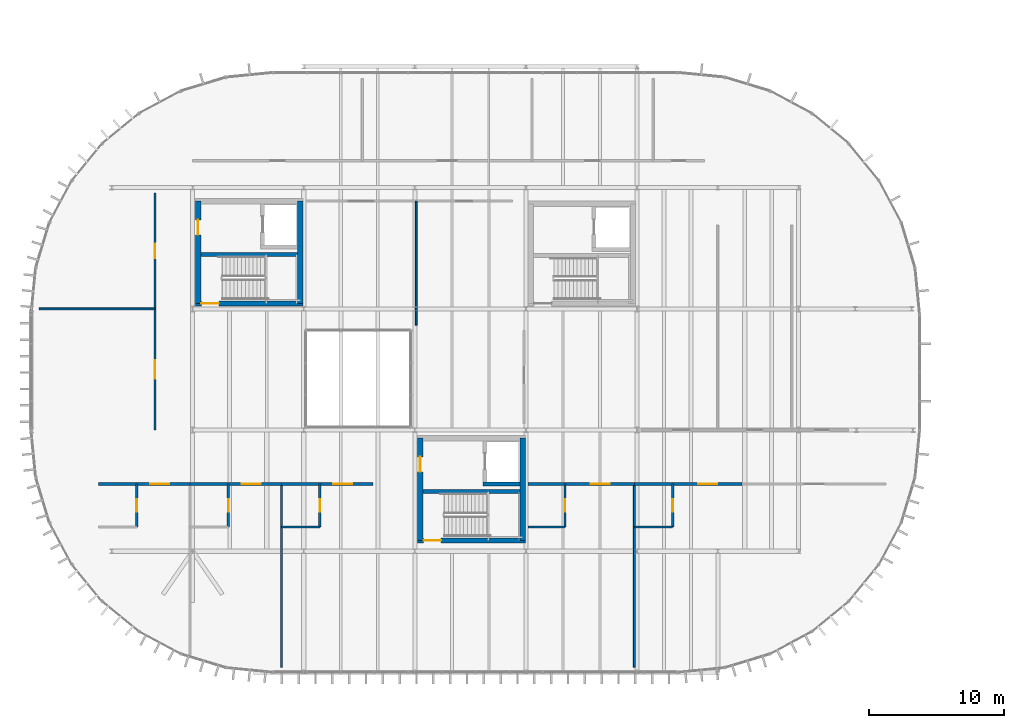
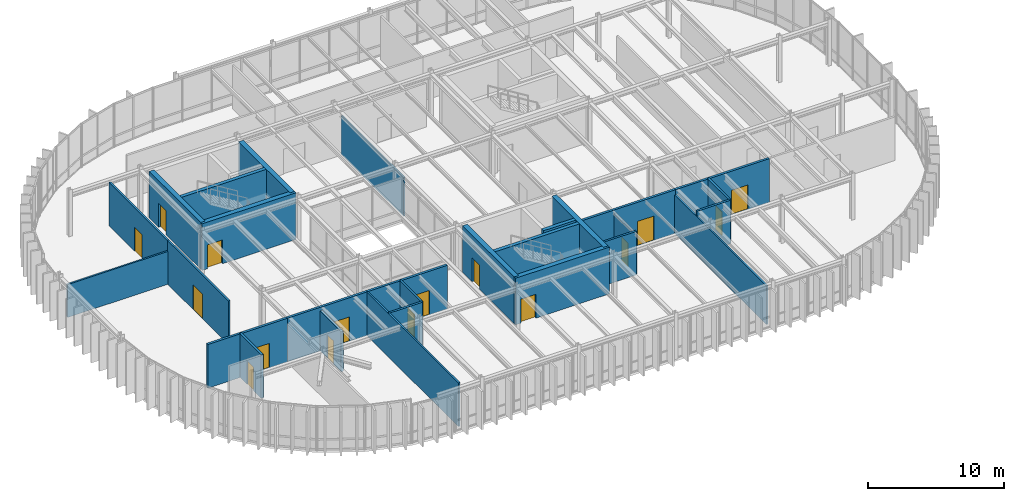
# One storey, part 20 of 27: 28 walls, 16 doors, 16 openings.
"""IFC4 building model written with IfcOpenShell, lengths in metres."""

from ifc_helpers import new_model, si_unit, direction, frame, frame_2d, origin, place, context, subcontext, project, spatial, rectangle, extrude, material, layer, layer_set, type_object, element, fill, save


model = new_model("IFC4")

# Units and contexts
model_context = context("Model", 3, precision=1e-05, world=origin(), true_north=direction((0.0, 1.0)))
body_context = subcontext(model_context, "Body", "Model", "MODEL_VIEW")
ifc_project = project(units=[si_unit("LENGTHUNIT", "METRE"), si_unit("AREAUNIT", "SQUARE_METRE"), si_unit("VOLUMEUNIT", "CUBIC_METRE"), si_unit("PLANEANGLEUNIT", "RADIAN"), si_unit("MASSUNIT", "GRAM", prefix="KILO")], contexts=[model_context])

# Site, building, storey
site_placement = place(None, origin())
site = spatial("IfcSite", under=ifc_project, at=site_placement, CompositionType="ELEMENT")
building_placement = place(site_placement, origin())
building = spatial("IfcBuilding", under=site, at=building_placement, Name="Montealbar Specialist Clinic", CompositionType="ELEMENT")
storey_placement = place(building_placement, frame((0.0, 0.0, 18.0)))
storey = spatial("IfcBuildingStorey", under=building, at=storey_placement, Name="L04", CompositionType="ELEMENT", Elevation=18.0)

# Walls
ifc_material_1 = material(Name="Concrete C35/45", Category="concrete")
ifc_layer_1 = layer(ifc_material_1, 0.300048828125, Name="Concrete C35/45", Category="concrete")
ifc_layer_set_1 = layer_set([ifc_layer_1], Name="Concrete C35/45")
wall_type_1 = type_object("IfcWallType", Name="WL-CORE-300", PredefinedType="SHEAR", material=ifc_layer_set_1)
for number, where, z_axis, x_axis, name in (
    (1, (66.60009765625, 31.050048828125, 0.0), (0.0, 0.0, 1.0), (1.0, 0.0, 0.0), "Core C3 Stairwell Wall L04"),
    (2, (83.10009765625, 13.449951171875, 0.0), (0.0, 0.0, 1.0), (1.0, 0.0, 0.0), "Core C4 Stairwell Wall L04"),
):
    element("IfcWall", number, at=place(storey_placement, frame(where, z_axis=z_axis, x_axis=x_axis)), inside=storey, type_object=wall_type_1, Name=name, PredefinedType="SHEAR", context=body_context, shape_type="SweptSolid", body=[
        extrude(rectangle(XDim=7.199951171875, YDim=0.300048828125, at=frame_2d((3.60009765625, 0.0))), origin(), (0.0, 0.0, 1.0), 4.199951171875),
    ])
wall_1_placement = place(storey_placement, frame((87.550048828125, 14.0, 0.0), z_axis=(0.0, 0.0, 1.0), x_axis=(1.0, 0.0, 0.0)))
element("IfcWall", 3, at=wall_1_placement, inside=storey, type_object=wall_type_1, Name="Lift FL-02 Shaft Wall L04 LS", PredefinedType="SHEAR", context=body_context, shape_type="SweptSolid", body=[
    extrude(rectangle(XDim=2.75, YDim=0.300048828125, at=frame_2d((1.375, 0.0))), origin(), (0.0, 0.0, 1.0), 4.199951171875),
])

# Wall, opening, door
ifc_layer_2 = layer(ifc_material_1, 0.39990234375, Name="Concrete C35/45", Category="concrete")
ifc_layer_set_2 = layer_set([ifc_layer_2], Name="Concrete C35/45")
wall_type_2 = type_object("IfcWallType", Name="WL-CORE-400", PredefinedType="SHEAR", material=ifc_layer_set_2)
wall_2_placement = place(storey_placement, frame((66.199951171875, 27.39990234375, 0.0), z_axis=(0.0, 0.0, 1.0), x_axis=(1.0, 0.0, 0.0)))
wall_2 = element("IfcWall", 4, at=wall_2_placement, inside=storey, type_object=wall_type_2, Name="Core C3 Shear Wall L04 S", PredefinedType="SHEAR", context=body_context, shape_type="SweptSolid", body=[
    extrude(rectangle(XDim=8.0, YDim=0.39990234375, at=frame_2d((4.0, 0.0))), origin(), (0.0, 0.0, 1.0), 4.199951171875),
])
opening_1_placement = place(wall_2_placement, frame((0.449951171875, 0.0, 0.0)))
opening_1 = element("IfcOpeningElement", 5, at=opening_1_placement, cuts=wall_2, Name="Opening SD-13", PredefinedType="OPENING", context=body_context, shape_type="SweptSolid", body=[
    extrude(rectangle(XDim=1.300048828125, YDim=2.14990234375, at=frame_2d((0.64990234375, 1.074951171875))), frame((0.0, 0.2099609375, 0.0), z_axis=(0.0, -1.0, 0.0), x_axis=(1.0, 0.0, 0.0)), (0.0, 0.0, 1.0), 0.419921875),
])
ifc_material_2 = material(Name="Steel S355", Category="steel")
door_type_1 = type_object("IfcDoorType", Name="DR-STAIR-W1300", OperationType="NOTDEFINED", PredefinedType="DOOR", material=ifc_material_2)
door_1_placement = place(opening_1_placement, frame((1.300048828125, 0.0, 0.0), z_axis=(0.0, 0.0, 1.0), x_axis=(-1.0, 0.0, 0.0)))
door_1 = element("IfcDoor", 6, at=door_1_placement, inside=storey, type_object=door_type_1, Name="Protected Core C3 Stair Fire Door L04", OperationType="SINGLE_SWING_LEFT", OverallHeight=2.14990234375, OverallWidth=1.300048828125, PredefinedType="DOOR", context=body_context, shape_type="SweptSolid", body=[
    extrude(rectangle(XDim=1.300048828125, YDim=2.14990234375, at=frame_2d((0.64990234375, 1.074951171875))), frame((0.0, 0.02490234375, 0.0), z_axis=(0.0, -1.0, 0.0), x_axis=(1.0, 0.0, 0.0)), (0.0, 0.0, 1.0), 0.050048828125),
])
fill(opening_1, door_1)

wall_3_placement = place(storey_placement, frame((66.39990234375, 27.39990234375, 0.0), z_axis=(0.0, 0.0, 1.0), x_axis=(0.0, 1.0, 0.0)))
wall_3 = element("IfcWall", 7, at=wall_3_placement, inside=storey, type_object=wall_type_2, Name="Core C3 Shear Wall L04 W", PredefinedType="SHEAR", context=body_context, shape_type="SweptSolid", body=[
    extrude(rectangle(XDim=7.60009765625, YDim=0.39990234375, at=frame_2d((3.800048828125, 0.0))), origin(), (0.0, 0.0, 1.0), 4.199951171875),
])
opening_2_placement = place(wall_3_placement, frame((5.090087890625, 0.0, 0.0)))
opening_2 = element("IfcOpeningElement", 8, at=opening_2_placement, cuts=wall_3, Name="Opening FD-110", PredefinedType="OPENING", context=body_context, shape_type="SweptSolid", body=[
    extrude(rectangle(XDim=1.1201171875, YDim=2.14990234375, at=frame_2d((0.56005859375, 1.074951171875))), frame((0.0, 0.2099609375, 0.0), z_axis=(0.0, -1.0, 0.0), x_axis=(1.0, 0.0, 0.0)), (0.0, 0.0, 1.0), 0.419921875),
])
door_type_2 = type_object("IfcDoorType", Name="DR-FIRE-W1100", OperationType="NOTDEFINED", PredefinedType="DOOR", material=ifc_material_2)
door_2_placement = place(opening_2_placement, origin())
door_2 = element("IfcDoor", 9, at=door_2_placement, inside=storey, type_object=door_type_2, Name="Firefighting Lobby C3 Entrance Door L04", OperationType="SINGLE_SWING_RIGHT", OverallHeight=2.14990234375, OverallWidth=1.1201171875, PredefinedType="DOOR", context=body_context, shape_type="SweptSolid", body=[
    extrude(rectangle(XDim=1.1201171875, YDim=2.14990234375, at=frame_2d((0.56005859375, 1.074951171875))), frame((0.0, 0.02490234375, 0.0), z_axis=(0.0, -1.0, 0.0), x_axis=(1.0, 0.0, 0.0)), (0.0, 0.0, 1.0), 0.050048828125),
])
fill(opening_2, door_2)

# Wall
wall_4_placement = place(storey_placement, frame((74.0, 27.39990234375, 0.0), z_axis=(0.0, 0.0, 1.0), x_axis=(0.0, 1.0, 0.0)))
element("IfcWall", 10, at=wall_4_placement, inside=storey, type_object=wall_type_2, Name="Core C3 Shear Wall L04 E", PredefinedType="SHEAR", context=body_context, shape_type="SweptSolid", body=[
    extrude(rectangle(XDim=7.60009765625, YDim=0.39990234375, at=frame_2d((3.800048828125, 0.0))), origin(), (0.0, 0.0, 1.0), 4.199951171875),
])

# Wall, opening, door
wall_5_placement = place(storey_placement, frame((82.699951171875, 9.800048828125, 0.0), z_axis=(0.0, 0.0, 1.0), x_axis=(1.0, 0.0, 0.0)))
wall_5 = element("IfcWall", 11, at=wall_5_placement, inside=storey, type_object=wall_type_2, Name="Core C4 Shear Wall L04 S", PredefinedType="SHEAR", context=body_context, shape_type="SweptSolid", body=[
    extrude(rectangle(XDim=8.0, YDim=0.39990234375, at=frame_2d((4.0, 0.0))), origin(), (0.0, 0.0, 1.0), 4.199951171875),
])
opening_3_placement = place(wall_5_placement, frame((0.449951171875, 0.0, 0.0)))
opening_3 = element("IfcOpeningElement", 12, at=opening_3_placement, cuts=wall_5, Name="Opening SD-13", PredefinedType="OPENING", context=body_context, shape_type="SweptSolid", body=[
    extrude(rectangle(XDim=1.300048828125, YDim=2.14990234375, at=frame_2d((0.64990234375, 1.074951171875))), frame((0.0, 0.2099609375, 0.0), z_axis=(0.0, -1.0, 0.0), x_axis=(1.0, 0.0, 0.0)), (0.0, 0.0, 1.0), 0.419921875),
])
door_3_placement = place(opening_3_placement, frame((1.300048828125, 0.0, 0.0), z_axis=(0.0, 0.0, 1.0), x_axis=(-1.0, 0.0, 0.0)))
door_3 = element("IfcDoor", 13, at=door_3_placement, inside=storey, type_object=door_type_1, Name="Protected Core C4 Stair Fire Door L04", OperationType="SINGLE_SWING_LEFT", OverallHeight=2.14990234375, OverallWidth=1.300048828125, PredefinedType="DOOR", context=body_context, shape_type="SweptSolid", body=[
    extrude(rectangle(XDim=1.300048828125, YDim=2.14990234375, at=frame_2d((0.64990234375, 1.074951171875))), frame((0.0, 0.02490234375, 0.0), z_axis=(0.0, -1.0, 0.0), x_axis=(1.0, 0.0, 0.0)), (0.0, 0.0, 1.0), 0.050048828125),
])
fill(opening_3, door_3)

wall_6_placement = place(storey_placement, frame((82.89990234375, 9.800048828125, 0.0), z_axis=(0.0, 0.0, 1.0), x_axis=(0.0, 1.0, 0.0)))
wall_6 = element("IfcWall", 14, at=wall_6_placement, inside=storey, type_object=wall_type_2, Name="Core C4 Shear Wall L04 W", PredefinedType="SHEAR", context=body_context, shape_type="SweptSolid", body=[
    extrude(rectangle(XDim=7.599853515625, YDim=0.39990234375, at=frame_2d((3.7998046875, 0.0))), origin(), (0.0, 0.0, 1.0), 4.199951171875),
])
opening_4_placement = place(wall_6_placement, frame((5.090087890625, 0.0, 0.0)))
opening_4 = element("IfcOpeningElement", 15, at=opening_4_placement, cuts=wall_6, Name="Opening FD-110", PredefinedType="OPENING", context=body_context, shape_type="SweptSolid", body=[
    extrude(rectangle(XDim=1.1201171875, YDim=2.14990234375, at=frame_2d((0.56005859375, 1.074951171875))), frame((0.0, 0.2099609375, 0.0), z_axis=(0.0, -1.0, 0.0), x_axis=(1.0, 0.0, 0.0)), (0.0, 0.0, 1.0), 0.419921875),
])
door_4_placement = place(opening_4_placement, origin())
door_4 = element("IfcDoor", 16, at=door_4_placement, inside=storey, type_object=door_type_2, Name="Firefighting Lobby C4 Entrance Door L04", OperationType="SINGLE_SWING_RIGHT", OverallHeight=2.14990234375, OverallWidth=1.1201171875, PredefinedType="DOOR", context=body_context, shape_type="SweptSolid", body=[
    extrude(rectangle(XDim=1.1201171875, YDim=2.14990234375, at=frame_2d((0.56005859375, 1.074951171875))), frame((0.0, 0.02490234375, 0.0), z_axis=(0.0, -1.0, 0.0), x_axis=(1.0, 0.0, 0.0)), (0.0, 0.0, 1.0), 0.050048828125),
])
fill(opening_4, door_4)

# Walls
wall_7_placement = place(storey_placement, frame((90.5, 9.800048828125, 0.0), z_axis=(0.0, 0.0, 1.0), x_axis=(0.0, 1.0, 0.0)))
element("IfcWall", 17, at=wall_7_placement, inside=storey, type_object=wall_type_2, Name="Core C4 Shear Wall L04 E", PredefinedType="SHEAR", context=body_context, shape_type="SweptSolid", body=[
    extrude(rectangle(XDim=7.599853515625, YDim=0.39990234375, at=frame_2d((3.7998046875, 0.0))), origin(), (0.0, 0.0, 1.0), 4.199951171875),
])
ifc_material_3 = material(Name="Gypsum acoustic partition", Category="gypsum")
ifc_layer_3 = layer(ifc_material_3, 0.139892578125, Name="Gypsum acoustic partition", Category="gypsum")
ifc_layer_set_3 = layer_set([ifc_layer_3], Name="Gypsum acoustic partition")
wall_type_3 = type_object("IfcWallType", Name="WL-PART-ACOUSTIC-140", PredefinedType="PARTITIONING", material=ifc_layer_set_3)
wall_8_placement = place(storey_placement, frame((72.60009765625, 0.39990234375, 0.0), z_axis=(0.0, 0.0, 1.0), x_axis=(0.0, 1.0, 0.0)))
element("IfcWall", 18, at=wall_8_placement, inside=storey, type_object=wall_type_3, Name="Clinical Partition PART-L04-0199", PredefinedType="PARTITIONING", context=body_context, shape_type="SweptSolid", body=[
    extrude(rectangle(XDim=13.60009765625, YDim=0.139892578125, at=frame_2d((6.800048828125, 0.0))), origin(), (0.0, 0.0, 1.0), 3.919921875),
])
wall_9_placement = place(storey_placement, frame((98.800048828125, 0.39990234375, 0.0), z_axis=(0.0, 0.0, 1.0), x_axis=(0.0, 1.0, 0.0)))
element("IfcWall", 19, at=wall_9_placement, inside=storey, type_object=wall_type_3, Name="Clinical Partition PART-L04-0206", PredefinedType="PARTITIONING", context=body_context, shape_type="SweptSolid", body=[
    extrude(rectangle(XDim=13.60009765625, YDim=0.139892578125, at=frame_2d((6.800048828125, 0.0))), origin(), (0.0, 0.0, 1.0), 3.489990234375),
])
wall_10_placement = place(storey_placement, frame((82.60009765625, 25.800048828125, 0.0), z_axis=(0.0, 0.0, 1.0), x_axis=(0.0, 1.0, 0.0)))
element("IfcWall", 20, at=wall_10_placement, inside=storey, type_object=wall_type_3, Name="Clinical Partition PART-L04-0266", PredefinedType="PARTITIONING", context=body_context, shape_type="SweptSolid", body=[
    extrude(rectangle(XDim=9.199951171875, YDim=0.139892578125, at=frame_2d((4.60009765625, 0.0))), origin(), (0.0, 0.0, 1.0), 3.489990234375),
])
wall_11_placement = place(storey_placement, frame((54.60009765625, 27.0, 0.0), z_axis=(0.0, 0.0, 1.0), x_axis=(1.0, 0.0, 0.0)))
element("IfcWall", 21, at=wall_11_placement, inside=storey, type_object=wall_type_3, Name="Clinical Partition PART-L04-0269", PredefinedType="PARTITIONING", context=body_context, shape_type="SweptSolid", body=[
    extrude(rectangle(XDim=8.599853515625, YDim=0.139892578125, at=frame_2d((4.2998046875, 0.0))), origin(), (0.0, 0.0, 1.0), 2.9599609375),
])

# Wall, opening, door
ifc_layer_4 = layer(ifc_material_3, 0.159912109375, Name="Gypsum acoustic partition", Category="gypsum")
ifc_layer_set_4 = layer_set([ifc_layer_4], Name="Gypsum acoustic partition")
wall_type_4 = type_object("IfcWallType", Name="WL-PART-CLINIC-160", PredefinedType="PARTITIONING", material=ifc_layer_set_4)
wall_12_placement = place(storey_placement, frame((63.199951171875, 18.0, 0.0), z_axis=(0.0, 0.0, 1.0), x_axis=(0.0, 1.0, 0.0)))
wall_12 = element("IfcWall", 22, at=wall_12_placement, inside=storey, type_object=wall_type_4, Name="Clinical Partition PART-L04-0268", PredefinedType="PARTITIONING", context=body_context, shape_type="SweptSolid", body=[
    extrude(rectangle(XDim=9.0, YDim=0.159912109375, at=frame_2d((4.5, 0.0))), origin(), (0.0, 0.0, 1.0), 3.919921875),
])
opening_5_placement = place(wall_12_placement, frame((3.800048828125, 0.0, 0.0)))
opening_5 = element("IfcOpeningElement", 23, at=opening_5_placement, cuts=wall_12, Name="Opening ID-140", PredefinedType="OPENING", context=body_context, shape_type="SweptSolid", body=[
    extrude(rectangle(XDim=1.39990234375, YDim=2.199951171875, at=frame_2d((0.699951171875, 1.10009765625))), frame((0.0, 0.08984375, 0.0), z_axis=(0.0, -1.0, 0.0), x_axis=(1.0, 0.0, 0.0)), (0.0, 0.0, 1.0), 0.179931640625),
])
ifc_material_4 = material(Name="Acoustic timber leaf", Category="wood")
door_type_3 = type_object("IfcDoorType", Name="DR-BED-W1400", OperationType="NOTDEFINED", PredefinedType="DOOR", material=ifc_material_4)
door_5_placement = place(opening_5_placement, frame((1.39990234375, 0.0, 0.0), z_axis=(0.0, 0.0, 1.0), x_axis=(-1.0, 0.0, 0.0)))
door_5 = element("IfcDoor", 24, at=door_5_placement, inside=storey, type_object=door_type_3, Name="Clinical Room Door IDR-L04-0174", OperationType="SINGLE_SWING_LEFT", OverallHeight=2.199951171875, OverallWidth=1.39990234375, PredefinedType="DOOR", context=body_context, shape_type="SweptSolid", body=[
    extrude(rectangle(XDim=1.39990234375, YDim=2.199951171875, at=frame_2d((0.699951171875, 1.10009765625))), frame((0.0, 0.02490234375, 0.0), z_axis=(0.0, -1.0, 0.0), x_axis=(1.0, 0.0, 0.0)), (0.0, 0.0, 1.0), 0.050048828125),
])
fill(opening_5, door_5)

wall_13_placement = place(storey_placement, frame((63.199951171875, 27.0, 0.0), z_axis=(0.0, 0.0, 1.0), x_axis=(0.0, 1.0, 0.0)))
wall_13 = element("IfcWall", 25, at=wall_13_placement, inside=storey, type_object=wall_type_4, Name="Clinical Partition PART-L04-0270", PredefinedType="PARTITIONING", context=body_context, shape_type="SweptSolid", body=[
    extrude(rectangle(XDim=8.60009765625, YDim=0.159912109375, at=frame_2d((4.300048828125, 0.0))), origin(), (0.0, 0.0, 1.0), 3.919921875),
])
opening_6_placement = place(wall_13_placement, frame((3.75, 0.0, 0.0)))
opening_6 = element("IfcOpeningElement", 26, at=opening_6_placement, cuts=wall_13, Name="Opening ID-110", PredefinedType="OPENING", context=body_context, shape_type="SweptSolid", body=[
    extrude(rectangle(XDim=1.10009765625, YDim=2.14990234375, at=frame_2d((0.550048828125, 1.074951171875))), frame((0.0, 0.08984375, 0.0), z_axis=(0.0, -1.0, 0.0), x_axis=(1.0, 0.0, 0.0)), (0.0, 0.0, 1.0), 0.179931640625),
])
door_type_4 = type_object("IfcDoorType", Name="DR-CLIN-W1100", OperationType="NOTDEFINED", PredefinedType="DOOR", material=ifc_material_4)
door_6_placement = place(opening_6_placement, frame((1.10009765625, 0.0, 0.0), z_axis=(0.0, 0.0, 1.0), x_axis=(-1.0, 0.0, 0.0)))
door_6 = element("IfcDoor", 27, at=door_6_placement, inside=storey, type_object=door_type_4, Name="Clinical Room Door IDR-L04-0175", OperationType="SINGLE_SWING_RIGHT", OverallHeight=2.14990234375, OverallWidth=1.10009765625, PredefinedType="DOOR", context=body_context, shape_type="SweptSolid", body=[
    extrude(rectangle(XDim=1.10009765625, YDim=2.14990234375, at=frame_2d((0.550048828125, 1.074951171875))), frame((0.0, 0.02490234375, 0.0), z_axis=(0.0, -1.0, 0.0), x_axis=(1.0, 0.0, 0.0)), (0.0, 0.0, 1.0), 0.050048828125),
])
fill(opening_6, door_6)

ifc_material_5 = material(Name="Concrete C30/37", Category="concrete")
ifc_layer_5 = layer(ifc_material_5, 0.199951171875, Name="Concrete C30/37", Category="concrete")
ifc_layer_set_5 = layer_set([ifc_layer_5], Name="Concrete C30/37")
wall_type_5 = type_object("IfcWallType", Name="WL-PART-FIRE-200", PredefinedType="PARTITIONING", material=ifc_layer_set_5)
wall_14_placement = place(storey_placement, frame((59.0, 14.0, 0.0), z_axis=(0.0, 0.0, 1.0), x_axis=(1.0, 0.0, 0.0)))
wall_14 = element("IfcWall", 28, at=wall_14_placement, inside=storey, type_object=wall_type_5, Name="Clinical Partition PART-L04-0192", PredefinedType="PARTITIONING", context=body_context, shape_type="SweptSolid", body=[
    extrude(rectangle(XDim=6.800048828125, YDim=0.199951171875, at=frame_2d((3.39990234375, 0.0))), origin(), (0.0, 0.0, 1.0), 3.919921875),
])
opening_7_placement = place(wall_14_placement, frame((3.85009765625, 0.0, 0.0)))
opening_7 = element("IfcOpeningElement", 29, at=opening_7_placement, cuts=wall_14, Name="Opening ID-140", PredefinedType="OPENING", context=body_context, shape_type="SweptSolid", body=[
    extrude(rectangle(XDim=1.39990234375, YDim=2.199951171875, at=frame_2d((0.699951171875, 1.10009765625))), frame((0.0, 0.10986328125, 0.0), z_axis=(0.0, -1.0, 0.0), x_axis=(1.0, 0.0, 0.0)), (0.0, 0.0, 1.0), 0.219970703125),
])
door_7_placement = place(opening_7_placement, origin())
door_7 = element("IfcDoor", 30, at=door_7_placement, inside=storey, type_object=door_type_3, Name="Clinical Room Door IDR-L04-0124", OperationType="SINGLE_SWING_RIGHT", OverallHeight=2.199951171875, OverallWidth=1.39990234375, PredefinedType="DOOR", context=body_context, shape_type="SweptSolid", body=[
    extrude(rectangle(XDim=1.39990234375, YDim=2.199951171875, at=frame_2d((0.699951171875, 1.10009765625))), frame((0.0, 0.02490234375, 0.0), z_axis=(0.0, -1.0, 0.0), x_axis=(1.0, 0.0, 0.0)), (0.0, 0.0, 1.0), 0.050048828125),
])
fill(opening_7, door_7)

wall_15_placement = place(storey_placement, frame((65.800048828125, 14.0, 0.0), z_axis=(0.0, 0.0, 1.0), x_axis=(1.0, 0.0, 0.0)))
wall_15 = element("IfcWall", 31, at=wall_15_placement, inside=storey, type_object=wall_type_5, Name="Clinical Partition PART-L04-0196", PredefinedType="PARTITIONING", context=body_context, shape_type="SweptSolid", body=[
    extrude(rectangle(XDim=6.800048828125, YDim=0.199951171875, at=frame_2d((3.39990234375, 0.0))), origin(), (0.0, 0.0, 1.0), 3.919921875),
])
opening_8_placement = place(wall_15_placement, frame((3.85009765625, 0.0, 0.0)))
opening_8 = element("IfcOpeningElement", 32, at=opening_8_placement, cuts=wall_15, Name="Opening ID-140", PredefinedType="OPENING", context=body_context, shape_type="SweptSolid", body=[
    extrude(rectangle(XDim=1.39990234375, YDim=2.199951171875, at=frame_2d((0.699951171875, 1.10009765625))), frame((0.0, 0.10986328125, 0.0), z_axis=(0.0, -1.0, 0.0), x_axis=(1.0, 0.0, 0.0)), (0.0, 0.0, 1.0), 0.219970703125),
])
door_8_placement = place(opening_8_placement, origin())
door_8 = element("IfcDoor", 33, at=door_8_placement, inside=storey, type_object=door_type_3, Name="Clinical Room Door IDR-L04-0126", OperationType="SINGLE_SWING_RIGHT", OverallHeight=2.199951171875, OverallWidth=1.39990234375, PredefinedType="DOOR", context=body_context, shape_type="SweptSolid", body=[
    extrude(rectangle(XDim=1.39990234375, YDim=2.199951171875, at=frame_2d((0.699951171875, 1.10009765625))), frame((0.0, 0.02490234375, 0.0), z_axis=(0.0, -1.0, 0.0), x_axis=(1.0, 0.0, 0.0)), (0.0, 0.0, 1.0), 0.050048828125),
])
fill(opening_8, door_8)

wall_16_placement = place(storey_placement, frame((72.60009765625, 14.0, 0.0), z_axis=(0.0, 0.0, 1.0), x_axis=(1.0, 0.0, 0.0)))
wall_16 = element("IfcWall", 34, at=wall_16_placement, inside=storey, type_object=wall_type_5, Name="Clinical Partition PART-L04-0200", PredefinedType="PARTITIONING", context=body_context, shape_type="SweptSolid", body=[
    extrude(rectangle(XDim=6.7998046875, YDim=0.199951171875, at=frame_2d((3.39990234375, 0.0))), origin(), (0.0, 0.0, 1.0), 3.919921875),
])
opening_9_placement = place(wall_16_placement, frame((3.85009765625, 0.0, 0.0)))
opening_9 = element("IfcOpeningElement", 35, at=opening_9_placement, cuts=wall_16, Name="Opening ID-140", PredefinedType="OPENING", context=body_context, shape_type="SweptSolid", body=[
    extrude(rectangle(XDim=1.39990234375, YDim=2.199951171875, at=frame_2d((0.699951171875, 1.10009765625))), frame((0.0, 0.10986328125, 0.0), z_axis=(0.0, -1.0, 0.0), x_axis=(1.0, 0.0, 0.0)), (0.0, 0.0, 1.0), 0.219970703125),
])
door_9_placement = place(opening_9_placement, origin())
door_9 = element("IfcDoor", 36, at=door_9_placement, inside=storey, type_object=door_type_3, Name="Clinical Room Door IDR-L04-0128", OperationType="SINGLE_SWING_RIGHT", OverallHeight=2.199951171875, OverallWidth=1.39990234375, PredefinedType="DOOR", context=body_context, shape_type="SweptSolid", body=[
    extrude(rectangle(XDim=1.39990234375, YDim=2.199951171875, at=frame_2d((0.699951171875, 1.10009765625))), frame((0.0, 0.02490234375, 0.0), z_axis=(0.0, -1.0, 0.0), x_axis=(1.0, 0.0, 0.0)), (0.0, 0.0, 1.0), 0.050048828125),
])
fill(opening_9, door_9)

wall_17_placement = place(storey_placement, frame((90.89990234375, 14.0, 0.0), z_axis=(0.0, 0.0, 1.0), x_axis=(1.0, 0.0, 0.0)))
wall_17 = element("IfcWall", 37, at=wall_17_placement, inside=storey, type_object=wall_type_5, Name="Clinical Partition PART-L04-0203", PredefinedType="PARTITIONING", context=body_context, shape_type="SweptSolid", body=[
    extrude(rectangle(XDim=7.900146484375, YDim=0.199951171875, at=frame_2d((3.9501953125, 0.0))), origin(), (0.0, 0.0, 1.0), 3.919921875),
])
opening_10_placement = place(wall_17_placement, frame((4.675048828125, 0.0, 0.0)))
opening_10 = element("IfcOpeningElement", 38, at=opening_10_placement, cuts=wall_17, Name="Opening ID-140", PredefinedType="OPENING", context=body_context, shape_type="SweptSolid", body=[
    extrude(rectangle(XDim=1.39990234375, YDim=2.199951171875, at=frame_2d((0.699951171875, 1.10009765625))), frame((0.0, 0.10986328125, 0.0), z_axis=(0.0, -1.0, 0.0), x_axis=(1.0, 0.0, 0.0)), (0.0, 0.0, 1.0), 0.219970703125),
])
door_10_placement = place(opening_10_placement, origin())
door_10 = element("IfcDoor", 39, at=door_10_placement, inside=storey, type_object=door_type_3, Name="Clinical Room Door IDR-L04-0130", OperationType="SINGLE_SWING_RIGHT", OverallHeight=2.199951171875, OverallWidth=1.39990234375, PredefinedType="DOOR", context=body_context, shape_type="SweptSolid", body=[
    extrude(rectangle(XDim=1.39990234375, YDim=2.199951171875, at=frame_2d((0.699951171875, 1.10009765625))), frame((0.0, 0.02490234375, 0.0), z_axis=(0.0, -1.0, 0.0), x_axis=(1.0, 0.0, 0.0)), (0.0, 0.0, 1.0), 0.050048828125),
])
fill(opening_10, door_10)

wall_18_placement = place(storey_placement, frame((98.800048828125, 14.0, 0.0), z_axis=(0.0, 0.0, 1.0), x_axis=(1.0, 0.0, 0.0)))
wall_18 = element("IfcWall", 40, at=wall_18_placement, inside=storey, type_object=wall_type_5, Name="Clinical Partition PART-L04-0207", PredefinedType="PARTITIONING", context=body_context, shape_type="SweptSolid", body=[
    extrude(rectangle(XDim=8.0, YDim=0.199951171875, at=frame_2d((4.0, 0.0))), origin(), (0.0, 0.0, 1.0), 3.919921875),
])
opening_11_placement = place(wall_18_placement, frame((4.75, 0.0, 0.0)))
opening_11 = element("IfcOpeningElement", 41, at=opening_11_placement, cuts=wall_18, Name="Opening ID-140", PredefinedType="OPENING", context=body_context, shape_type="SweptSolid", body=[
    extrude(rectangle(XDim=1.39990234375, YDim=2.199951171875, at=frame_2d((0.699951171875, 1.10009765625))), frame((0.0, 0.10986328125, 0.0), z_axis=(0.0, -1.0, 0.0), x_axis=(1.0, 0.0, 0.0)), (0.0, 0.0, 1.0), 0.219970703125),
])
door_11_placement = place(opening_11_placement, origin())
door_11 = element("IfcDoor", 42, at=door_11_placement, inside=storey, type_object=door_type_3, Name="Clinical Room Door IDR-L04-0132", OperationType="SINGLE_SWING_RIGHT", OverallHeight=2.199951171875, OverallWidth=1.39990234375, PredefinedType="DOOR", context=body_context, shape_type="SweptSolid", body=[
    extrude(rectangle(XDim=1.39990234375, YDim=2.199951171875, at=frame_2d((0.699951171875, 1.10009765625))), frame((0.0, 0.02490234375, 0.0), z_axis=(0.0, -1.0, 0.0), x_axis=(1.0, 0.0, 0.0)), (0.0, 0.0, 1.0), 0.050048828125),
])
fill(opening_11, door_11)

ifc_material_6 = material(Name="Ceramic-lined wet partition", Category="brick")
ifc_layer_6 = layer(ifc_material_6, 0.179931640625, Name="Ceramic-lined wet partition", Category="brick")
ifc_layer_set_6 = layer_set([ifc_layer_6], Name="Ceramic-lined wet partition")
wall_type_6 = type_object("IfcWallType", Name="WL-PART-WET-180", PredefinedType="PARTITIONING", material=ifc_layer_set_6)
wall_19_placement = place(storey_placement, frame((61.85009765625, 10.800048828125, 0.0), z_axis=(0.0, 0.0, 1.0), x_axis=(0.0, 1.0, 0.0)))
wall_19 = element("IfcWall", 43, at=wall_19_placement, inside=storey, type_object=wall_type_6, Name="Clinical Partition PART-L04-0193", PredefinedType="PARTITIONING", context=body_context, shape_type="SweptSolid", body=[
    extrude(rectangle(XDim=3.199951171875, YDim=0.179931640625, at=frame_2d((1.60009765625, 0.0))), origin(), (0.0, 0.0, 1.0), 3.919921875),
])
opening_12_placement = place(wall_19_placement, frame((1.125, 0.0, 0.0)))
opening_12 = element("IfcOpeningElement", 44, at=opening_12_placement, cuts=wall_19, Name="Opening ID-095", PredefinedType="OPENING", context=body_context, shape_type="SweptSolid", body=[
    extrude(rectangle(XDim=0.949951171875, YDim=2.10009765625, at=frame_2d((0.47509765625, 1.050048828125))), frame((0.0, 0.099853515625, 0.0), z_axis=(0.0, -1.0, 0.0), x_axis=(1.0, 0.0, 0.0)), (0.0, 0.0, 1.0), 0.199951171875),
])
door_type_5 = type_object("IfcDoorType", Name="DR-WC-W0950", OperationType="NOTDEFINED", PredefinedType="DOOR", material=ifc_material_4)
door_12_placement = place(opening_12_placement, frame((0.949951171875, 0.0, 0.0), z_axis=(0.0, 0.0, 1.0), x_axis=(-1.0, 0.0, 0.0)))
door_12 = element("IfcDoor", 45, at=door_12_placement, inside=storey, type_object=door_type_5, Name="Clinical Room Door IDR-L04-0125", OperationType="SINGLE_SWING_LEFT", OverallHeight=2.10009765625, OverallWidth=0.949951171875, PredefinedType="DOOR", context=body_context, shape_type="SweptSolid", body=[
    extrude(rectangle(XDim=0.949951171875, YDim=2.10009765625, at=frame_2d((0.47509765625, 1.050048828125))), frame((0.0, 0.02490234375, 0.0), z_axis=(0.0, -1.0, 0.0), x_axis=(1.0, 0.0, 0.0)), (0.0, 0.0, 1.0), 0.050048828125),
])
fill(opening_12, door_12)

wall_20_placement = place(storey_placement, frame((68.64990234375, 10.800048828125, 0.0), z_axis=(0.0, 0.0, 1.0), x_axis=(0.0, 1.0, 0.0)))
wall_20 = element("IfcWall", 46, at=wall_20_placement, inside=storey, type_object=wall_type_6, Name="Clinical Partition PART-L04-0197", PredefinedType="PARTITIONING", context=body_context, shape_type="SweptSolid", body=[
    extrude(rectangle(XDim=3.199951171875, YDim=0.179931640625, at=frame_2d((1.60009765625, 0.0))), origin(), (0.0, 0.0, 1.0), 3.610107421875),
])
opening_13_placement = place(wall_20_placement, frame((1.125, 0.0, 0.0)))
opening_13 = element("IfcOpeningElement", 47, at=opening_13_placement, cuts=wall_20, Name="Opening ID-095", PredefinedType="OPENING", context=body_context, shape_type="SweptSolid", body=[
    extrude(rectangle(XDim=0.949951171875, YDim=2.10009765625, at=frame_2d((0.47509765625, 1.050048828125))), frame((0.0, 0.099853515625, 0.0), z_axis=(0.0, -1.0, 0.0), x_axis=(1.0, 0.0, 0.0)), (0.0, 0.0, 1.0), 0.199951171875),
])
door_13_placement = place(opening_13_placement, frame((0.949951171875, 0.0, 0.0), z_axis=(0.0, 0.0, 1.0), x_axis=(-1.0, 0.0, 0.0)))
door_13 = element("IfcDoor", 48, at=door_13_placement, inside=storey, type_object=door_type_5, Name="Clinical Room Door IDR-L04-0127", OperationType="SINGLE_SWING_LEFT", OverallHeight=2.10009765625, OverallWidth=0.949951171875, PredefinedType="DOOR", context=body_context, shape_type="SweptSolid", body=[
    extrude(rectangle(XDim=0.949951171875, YDim=2.10009765625, at=frame_2d((0.47509765625, 1.050048828125))), frame((0.0, 0.02490234375, 0.0), z_axis=(0.0, -1.0, 0.0), x_axis=(1.0, 0.0, 0.0)), (0.0, 0.0, 1.0), 0.050048828125),
])
fill(opening_13, door_13)

wall_21_placement = place(storey_placement, frame((75.449951171875, 10.800048828125, 0.0), z_axis=(0.0, 0.0, 1.0), x_axis=(0.0, 1.0, 0.0)))
wall_21 = element("IfcWall", 49, at=wall_21_placement, inside=storey, type_object=wall_type_6, Name="Clinical Partition PART-L04-0201", PredefinedType="PARTITIONING", context=body_context, shape_type="SweptSolid", body=[
    extrude(rectangle(XDim=3.199951171875, YDim=0.179931640625, at=frame_2d((1.60009765625, 0.0))), origin(), (0.0, 0.0, 1.0), 3.919921875),
])
opening_14_placement = place(wall_21_placement, frame((1.125, 0.0, 0.0)))
opening_14 = element("IfcOpeningElement", 50, at=opening_14_placement, cuts=wall_21, Name="Opening ID-095", PredefinedType="OPENING", context=body_context, shape_type="SweptSolid", body=[
    extrude(rectangle(XDim=0.949951171875, YDim=2.10009765625, at=frame_2d((0.47509765625, 1.050048828125))), frame((0.0, 0.099853515625, 0.0), z_axis=(0.0, -1.0, 0.0), x_axis=(1.0, 0.0, 0.0)), (0.0, 0.0, 1.0), 0.199951171875),
])
door_14_placement = place(opening_14_placement, frame((0.949951171875, 0.0, 0.0), z_axis=(0.0, 0.0, 1.0), x_axis=(-1.0, 0.0, 0.0)))
door_14 = element("IfcDoor", 51, at=door_14_placement, inside=storey, type_object=door_type_5, Name="Clinical Room Door IDR-L04-0129", OperationType="SINGLE_SWING_LEFT", OverallHeight=2.10009765625, OverallWidth=0.949951171875, PredefinedType="DOOR", context=body_context, shape_type="SweptSolid", body=[
    extrude(rectangle(XDim=0.949951171875, YDim=2.10009765625, at=frame_2d((0.47509765625, 1.050048828125))), frame((0.0, 0.02490234375, 0.0), z_axis=(0.0, -1.0, 0.0), x_axis=(1.0, 0.0, 0.0)), (0.0, 0.0, 1.0), 0.050048828125),
])
fill(opening_14, door_14)

# Wall
wall_22_placement = place(storey_placement, frame((72.60009765625, 10.800048828125, 0.0), z_axis=(0.0, 0.0, 1.0), x_axis=(1.0, 0.0, 0.0)))
element("IfcWall", 52, at=wall_22_placement, inside=storey, type_object=wall_type_6, Name="Clinical Partition PART-L04-0202", PredefinedType="PARTITIONING", context=body_context, shape_type="SweptSolid", body=[
    extrude(rectangle(XDim=2.849853515625, YDim=0.179931640625, at=frame_2d((1.4248046875, 0.0))), origin(), (0.0, 0.0, 1.0), 3.919921875),
])

# Wall, opening, door
wall_23_placement = place(storey_placement, frame((93.64990234375, 10.800048828125, 0.0), z_axis=(0.0, 0.0, 1.0), x_axis=(0.0, 1.0, 0.0)))
wall_23 = element("IfcWall", 53, at=wall_23_placement, inside=storey, type_object=wall_type_6, Name="Clinical Partition PART-L04-0204", PredefinedType="PARTITIONING", context=body_context, shape_type="SweptSolid", body=[
    extrude(rectangle(XDim=3.199951171875, YDim=0.179931640625, at=frame_2d((1.60009765625, 0.0))), origin(), (0.0, 0.0, 1.0), 3.6201171875),
])
opening_15_placement = place(wall_23_placement, frame((1.125, 0.0, 0.0)))
opening_15 = element("IfcOpeningElement", 54, at=opening_15_placement, cuts=wall_23, Name="Opening ID-095", PredefinedType="OPENING", context=body_context, shape_type="SweptSolid", body=[
    extrude(rectangle(XDim=0.949951171875, YDim=2.10009765625, at=frame_2d((0.47509765625, 1.050048828125))), frame((0.0, 0.099853515625, 0.0), z_axis=(0.0, -1.0, 0.0), x_axis=(1.0, 0.0, 0.0)), (0.0, 0.0, 1.0), 0.199951171875),
])
door_15_placement = place(opening_15_placement, frame((0.949951171875, 0.0, 0.0), z_axis=(0.0, 0.0, 1.0), x_axis=(-1.0, 0.0, 0.0)))
door_15 = element("IfcDoor", 55, at=door_15_placement, inside=storey, type_object=door_type_5, Name="Clinical Room Door IDR-L04-0131", OperationType="SINGLE_SWING_LEFT", OverallHeight=2.10009765625, OverallWidth=0.949951171875, PredefinedType="DOOR", context=body_context, shape_type="SweptSolid", body=[
    extrude(rectangle(XDim=0.949951171875, YDim=2.10009765625, at=frame_2d((0.47509765625, 1.050048828125))), frame((0.0, 0.02490234375, 0.0), z_axis=(0.0, -1.0, 0.0), x_axis=(1.0, 0.0, 0.0)), (0.0, 0.0, 1.0), 0.050048828125),
])
fill(opening_15, door_15)

# Wall
wall_24_placement = place(storey_placement, frame((90.89990234375, 10.800048828125, 0.0), z_axis=(0.0, 0.0, 1.0), x_axis=(1.0, 0.0, 0.0)))
element("IfcWall", 56, at=wall_24_placement, inside=storey, type_object=wall_type_6, Name="Clinical Partition PART-L04-0205", PredefinedType="PARTITIONING", context=body_context, shape_type="SweptSolid", body=[
    extrude(rectangle(XDim=2.75, YDim=0.179931640625, at=frame_2d((1.375, 0.0))), origin(), (0.0, 0.0, 1.0), 3.919921875),
])

# Wall, opening, door
wall_25_placement = place(storey_placement, frame((101.64990234375, 10.800048828125, 0.0), z_axis=(0.0, 0.0, 1.0), x_axis=(0.0, 1.0, 0.0)))
wall_25 = element("IfcWall", 57, at=wall_25_placement, inside=storey, type_object=wall_type_6, Name="Clinical Partition PART-L04-0208", PredefinedType="PARTITIONING", context=body_context, shape_type="SweptSolid", body=[
    extrude(rectangle(XDim=3.199951171875, YDim=0.179931640625, at=frame_2d((1.60009765625, 0.0))), origin(), (0.0, 0.0, 1.0), 3.919921875),
])
opening_16_placement = place(wall_25_placement, frame((1.125, 0.0, 0.0)))
opening_16 = element("IfcOpeningElement", 58, at=opening_16_placement, cuts=wall_25, Name="Opening ID-095", PredefinedType="OPENING", context=body_context, shape_type="SweptSolid", body=[
    extrude(rectangle(XDim=0.949951171875, YDim=2.10009765625, at=frame_2d((0.47509765625, 1.050048828125))), frame((0.0, 0.099853515625, 0.0), z_axis=(0.0, -1.0, 0.0), x_axis=(1.0, 0.0, 0.0)), (0.0, 0.0, 1.0), 0.199951171875),
])
door_16_placement = place(opening_16_placement, frame((0.949951171875, 0.0, 0.0), z_axis=(0.0, 0.0, 1.0), x_axis=(-1.0, 0.0, 0.0)))
door_16 = element("IfcDoor", 59, at=door_16_placement, inside=storey, type_object=door_type_5, Name="Clinical Room Door IDR-L04-0133", OperationType="SINGLE_SWING_LEFT", OverallHeight=2.10009765625, OverallWidth=0.949951171875, PredefinedType="DOOR", context=body_context, shape_type="SweptSolid", body=[
    extrude(rectangle(XDim=0.949951171875, YDim=2.10009765625, at=frame_2d((0.47509765625, 1.050048828125))), frame((0.0, 0.02490234375, 0.0), z_axis=(0.0, -1.0, 0.0), x_axis=(1.0, 0.0, 0.0)), (0.0, 0.0, 1.0), 0.050048828125),
])
fill(opening_16, door_16)

# Wall
wall_26_placement = place(storey_placement, frame((98.800048828125, 10.800048828125, 0.0), z_axis=(0.0, 0.0, 1.0), x_axis=(1.0, 0.0, 0.0)))
element("IfcWall", 60, at=wall_26_placement, inside=storey, type_object=wall_type_6, Name="Clinical Partition PART-L04-0209", PredefinedType="PARTITIONING", context=body_context, shape_type="SweptSolid", body=[
    extrude(rectangle(XDim=2.849853515625, YDim=0.179931640625, at=frame_2d((1.4248046875, 0.0))), origin(), (0.0, 0.0, 1.0), 3.919921875),
])

save(model, "model.ifc")
